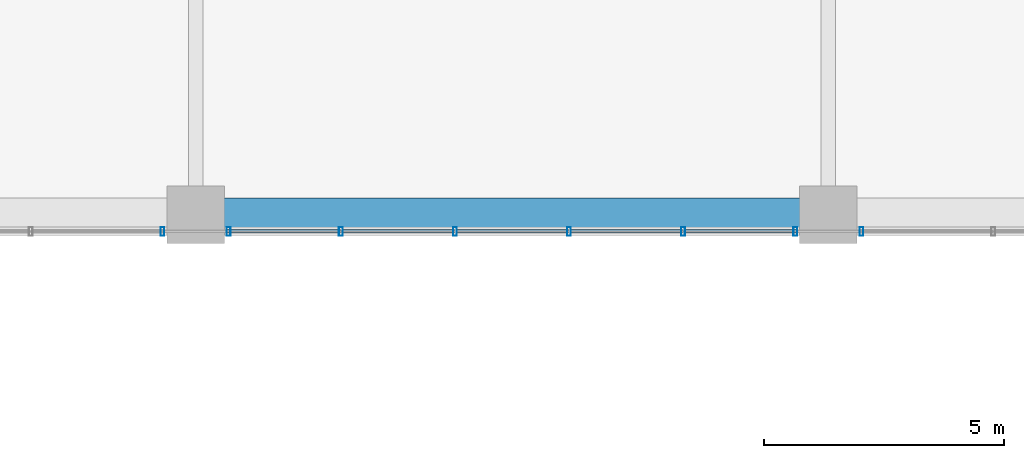
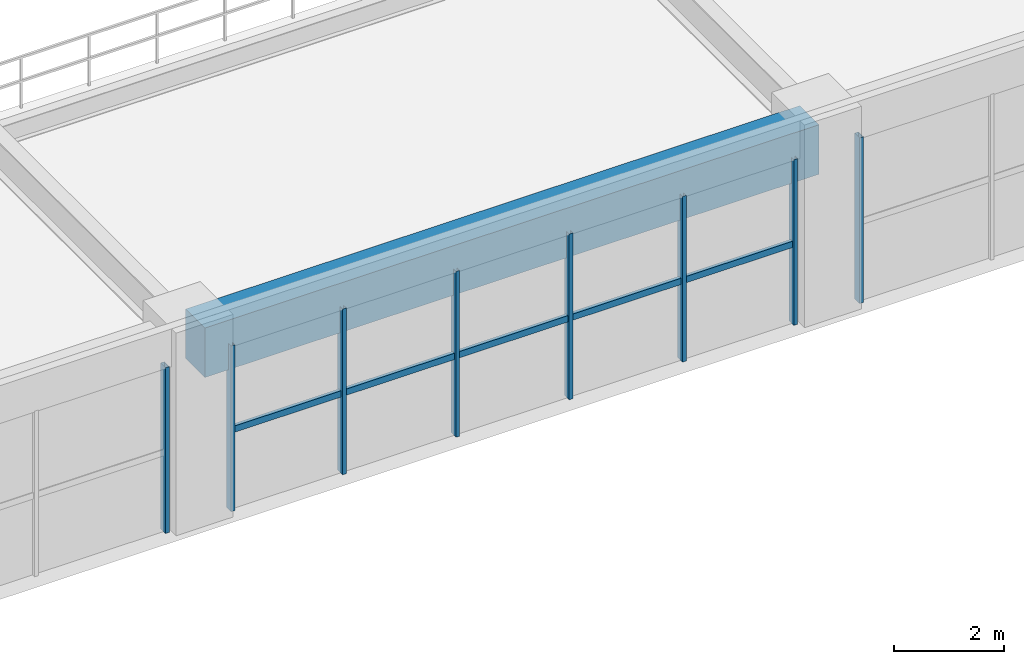
# One storey, part 4 of 24: 13 members, 1 beam, 3 elements without a shape of their own.
"""IFC4 building model written with IfcOpenShell, lengths in metres."""

from ifc_helpers import new_model, si_unit, direction, frame, origin, origin_2d, place, context, subcontext, project, spatial, rectangle, hollow_rectangle, extrude, source, transform, mapped, material, material_profile, profile_set, type_object, element, aggregate, save


model = new_model("IFC4")

# Units and contexts
model_context = context("Model", 3, precision=1e-05, world=origin(), true_north=direction((0.0, 1.0)))
body_context = subcontext(model_context, "Body", "Model", "MODEL_VIEW")
ifc_project = project(units=[si_unit("LENGTHUNIT", "METRE"), si_unit("AREAUNIT", "SQUARE_METRE"), si_unit("VOLUMEUNIT", "CUBIC_METRE"), si_unit("PLANEANGLEUNIT", "RADIAN"), si_unit("MASSUNIT", "GRAM", prefix="KILO")], contexts=[model_context])

# Site, building, storey
site_placement = place(None, origin())
site = spatial("IfcSite", under=ifc_project, at=site_placement, CompositionType="ELEMENT")
building_placement = place(site_placement, origin())
building = spatial("IfcBuilding", under=site, at=building_placement, Name="Trelvane Seafront Commons", CompositionType="ELEMENT")
storey_placement = place(building_placement, frame((0.0, 0.0, 5.199951171875)))
storey = spatial("IfcBuildingStorey", under=building, at=storey_placement, Name="L01", CompositionType="ELEMENT", Elevation=5.199951171875)

# Beam
ifc_material_1 = material(Name="Concrete C50/60", Category="concrete")
ifc_material_profile_1 = material_profile(ifc_material_1, rectangle(XDim=0.699951171875, YDim=1.10009765625, at=origin_2d()), Name="RC-700x1100")
ifc_profile_set_1 = profile_set([ifc_material_profile_1], Name="Concrete C50/60")
beam_type = type_object("IfcBeamType", Name="STR-TBM-RC700x1100", PredefinedType="T_BEAM", material=ifc_profile_set_1)
shared_shape_1 = source(origin(), body_context, "Body", "SweptSolid", [
    extrude(rectangle(XDim=0.699951171875, YDim=1.10009765625, at=origin_2d()), origin(), (0.0, 0.0, 1.0), 12.89990234375),
])
beam_placement = place(storey_placement, frame((30.75, 3.949951171875, 3.650146484375), z_axis=(1.0, 0.0, 0.0), x_axis=(0.0, 1.0, 0.0)))
element("IfcBeam", 1, at=beam_placement, inside=storey, type_object=beam_type, Name="L01 Primary Girder G-04", PredefinedType="T_BEAM", context=body_context, shape_type="MappedRepresentation", body=[
    mapped(shared_shape_1, transform((0.0, 0.0, 0.0), x_axis=(1.0, 0.0, 0.0), y_axis=(0.0, 1.0, 0.0), z_axis=(0.0, 0.0, 1.0), scale=1.0)),
])

# Curtain wall, member
ifc_material_2 = material(Name="Anodised pale-silver aluminium", Category="aluminium")
curtain_wall_type = type_object("IfcCurtainWallType", Name="ARCH-CW1-PODIUM", PredefinedType="NOTDEFINED", material=ifc_material_2)
curtain_wall_1_placement = place(storey_placement, origin())
curtain_wall_1 = element("IfcCurtainWall", 2, at=curtain_wall_1_placement, inside=storey, type_object=curtain_wall_type, Name="CW-L01-VP-0010", PredefinedType="NOTDEFINED")
ifc_material_profile_2 = material_profile(ifc_material_2, hollow_rectangle(XDim=0.080078125, YDim=0.179931640625, WallThickness=0.00439453125, at=origin_2d()), Name="MULL-80x180x4.5")
ifc_profile_set_2 = profile_set([ifc_material_profile_2], Name="Anodised pale-silver aluminium")
member_type_1 = type_object("IfcMemberType", Name="ARCH-CW-MULL-180", PredefinedType="MULLION", material=ifc_profile_set_2)
shared_shape_2 = source(origin(), body_context, "Body", "SweptSolid", [
    extrude(hollow_rectangle(XDim=0.080078125, YDim=0.179931640625, WallThickness=0.00439453125, at=origin_2d()), origin(), (0.0, 0.0, 1.0), 3.679931640625),
])
member_1_placement = place(storey_placement, frame((44.489990234375, 3.60009765625, 0.0), z_axis=(0.0, 0.0, 1.0), x_axis=(1.0, 0.0, 0.0)))
member_1 = element("IfcMember", 3, at=member_1_placement, type_object=member_type_1, Name="CW-L01-VP-0010-M04", PredefinedType="MULLION", context=body_context, shape_type="MappedRepresentation", body=[
    mapped(shared_shape_2, transform((0.0, 0.0, 0.0), x_axis=(1.0, 0.0, 0.0), y_axis=(0.0, 1.0, 0.0), z_axis=(0.0, 0.0, 1.0), scale=1.0)),
])
aggregate(curtain_wall_1, [member_1])

# Curtain wall, members
curtain_wall_2_placement = place(storey_placement, origin())
curtain_wall_2 = element("IfcCurtainWall", 4, at=curtain_wall_2_placement, inside=storey, type_object=curtain_wall_type, Name="CW-L01-VP-0011", PredefinedType="NOTDEFINED")
member_2_placement = place(storey_placement, frame((43.110107421875, 3.60009765625, 0.0), z_axis=(0.0, 0.0, 1.0), x_axis=(1.0, 0.0, 0.0)))
member_2 = element("IfcMember", 5, at=member_2_placement, type_object=member_type_1, Name="CW-L01-VP-0011-M00", PredefinedType="MULLION", context=body_context, shape_type="MappedRepresentation", body=[
    mapped(shared_shape_2, transform((0.0, 0.0, 0.0), x_axis=(1.0, 0.0, 0.0), y_axis=(0.0, 1.0, 0.0), z_axis=(0.0, 0.0, 1.0), scale=1.0)),
])
member_3_placement = place(storey_placement, frame((40.77001953125, 3.60009765625, 0.0), z_axis=(0.0, 0.0, 1.0), x_axis=(1.0, 0.0, 0.0)))
member_3 = element("IfcMember", 6, at=member_3_placement, type_object=member_type_1, Name="CW-L01-VP-0011-M01", PredefinedType="MULLION", context=body_context, shape_type="MappedRepresentation", body=[
    mapped(shared_shape_2, transform((0.0, 0.0, 0.0), x_axis=(1.0, 0.0, 0.0), y_axis=(0.0, 1.0, 0.0), z_axis=(0.0, 0.0, 1.0), scale=1.0)),
])
member_4_placement = place(storey_placement, frame((38.389892578125, 3.60009765625, 0.0), z_axis=(0.0, 0.0, 1.0), x_axis=(1.0, 0.0, 0.0)))
member_4 = element("IfcMember", 7, at=member_4_placement, type_object=member_type_1, Name="CW-L01-VP-0011-M02", PredefinedType="MULLION", context=body_context, shape_type="MappedRepresentation", body=[
    mapped(shared_shape_2, transform((0.0, 0.0, 0.0), x_axis=(1.0, 0.0, 0.0), y_axis=(0.0, 1.0, 0.0), z_axis=(0.0, 0.0, 1.0), scale=1.0)),
])
member_5_placement = place(storey_placement, frame((36.010009765625, 3.60009765625, 0.0), z_axis=(0.0, 0.0, 1.0), x_axis=(1.0, 0.0, 0.0)))
member_5 = element("IfcMember", 8, at=member_5_placement, type_object=member_type_1, Name="CW-L01-VP-0011-M03", PredefinedType="MULLION", context=body_context, shape_type="MappedRepresentation", body=[
    mapped(shared_shape_2, transform((0.0, 0.0, 0.0), x_axis=(1.0, 0.0, 0.0), y_axis=(0.0, 1.0, 0.0), z_axis=(0.0, 0.0, 1.0), scale=1.0)),
])
member_6_placement = place(storey_placement, frame((33.6298828125, 3.60009765625, 0.0), z_axis=(0.0, 0.0, 1.0), x_axis=(1.0, 0.0, 0.0)))
member_6 = element("IfcMember", 9, at=member_6_placement, type_object=member_type_1, Name="CW-L01-VP-0011-M04", PredefinedType="MULLION", context=body_context, shape_type="MappedRepresentation", body=[
    mapped(shared_shape_2, transform((0.0, 0.0, 0.0), x_axis=(1.0, 0.0, 0.0), y_axis=(0.0, 1.0, 0.0), z_axis=(0.0, 0.0, 1.0), scale=1.0)),
])
member_7_placement = place(storey_placement, frame((31.2900390625, 3.60009765625, 0.0), z_axis=(0.0, 0.0, 1.0), x_axis=(1.0, 0.0, 0.0)))
member_7 = element("IfcMember", 10, at=member_7_placement, type_object=member_type_1, Name="CW-L01-VP-0011-M05", PredefinedType="MULLION", context=body_context, shape_type="MappedRepresentation", body=[
    mapped(shared_shape_2, transform((0.0, 0.0, 0.0), x_axis=(1.0, 0.0, 0.0), y_axis=(0.0, 1.0, 0.0), z_axis=(0.0, 0.0, 1.0), scale=1.0)),
])

# Curtain wall, member
curtain_wall_3_placement = place(storey_placement, origin())
curtain_wall_3 = element("IfcCurtainWall", 11, at=curtain_wall_3_placement, inside=storey, type_object=curtain_wall_type, Name="CW-L01-VP-0012", PredefinedType="NOTDEFINED")
member_8_placement = place(storey_placement, frame((29.909912109375, 3.60009765625, 0.0), z_axis=(0.0, 0.0, 1.0), x_axis=(1.0, 0.0, 0.0)))
member_8 = element("IfcMember", 12, at=member_8_placement, type_object=member_type_1, Name="CW-L01-VP-0012-M00", PredefinedType="MULLION", context=body_context, shape_type="MappedRepresentation", body=[
    mapped(shared_shape_2, transform((0.0, 0.0, 0.0), x_axis=(1.0, 0.0, 0.0), y_axis=(0.0, 1.0, 0.0), z_axis=(0.0, 0.0, 1.0), scale=1.0)),
])
aggregate(curtain_wall_3, [member_8])

# Member
ifc_material_profile_3 = material_profile(ifc_material_2, hollow_rectangle(XDim=0.074951171875, YDim=0.139892578125, WallThickness=0.00390625, at=origin_2d()), Name="TRAN-75x140x4")
ifc_profile_set_3 = profile_set([ifc_material_profile_3], Name="Anodised pale-silver aluminium")
member_type_2 = type_object("IfcMemberType", Name="ARCH-CW-TRAN-140", PredefinedType="USERDEFINED", material=ifc_profile_set_3)
shared_shape_3 = source(origin(), body_context, "Body", "SweptSolid", [
    extrude(hollow_rectangle(XDim=0.074951171875, YDim=0.139892578125, WallThickness=0.00390625, at=origin_2d()), origin(), (0.0, 0.0, 1.0), 2.35595703125),
])
member_9_placement = place(storey_placement, frame((43.137939453125, 3.60009765625, 1.76611328125), z_axis=(-1.0, 0.0, 0.0), x_axis=(0.0, -1.0, 0.0)))
member_9 = element("IfcMember", 13, at=member_9_placement, type_object=member_type_2, Name="CW-L01-VP-0011-T00", ObjectType="TRANSOM", PredefinedType="USERDEFINED", context=body_context, shape_type="MappedRepresentation", body=[
    mapped(shared_shape_3, transform((0.0, 0.0, 0.0), x_axis=(1.0, 0.0, 0.0), y_axis=(0.0, 1.0, 0.0), z_axis=(0.0, 0.0, 1.0), scale=1.0)),
])

member_10_placement = place(storey_placement, frame((40.758056640625, 3.60009765625, 1.76611328125), z_axis=(-1.0, 0.0, 0.0), x_axis=(0.0, -1.0, 0.0)))
member_10 = element("IfcMember", 14, at=member_10_placement, type_object=member_type_2, Name="CW-L01-VP-0011-T01", ObjectType="TRANSOM", PredefinedType="USERDEFINED", context=body_context, shape_type="MappedRepresentation", body=[
    mapped(shared_shape_3, transform((0.0, 0.0, 0.0), x_axis=(1.0, 0.0, 0.0), y_axis=(0.0, 1.0, 0.0), z_axis=(0.0, 0.0, 1.0), scale=1.0)),
])

member_11_placement = place(storey_placement, frame((38.3779296875, 3.60009765625, 1.76611328125), z_axis=(-1.0, 0.0, 0.0), x_axis=(0.0, -1.0, 0.0)))
member_11 = element("IfcMember", 15, at=member_11_placement, type_object=member_type_2, Name="CW-L01-VP-0011-T02", ObjectType="TRANSOM", PredefinedType="USERDEFINED", context=body_context, shape_type="MappedRepresentation", body=[
    mapped(shared_shape_3, transform((0.0, 0.0, 0.0), x_axis=(1.0, 0.0, 0.0), y_axis=(0.0, 1.0, 0.0), z_axis=(0.0, 0.0, 1.0), scale=1.0)),
])

member_12_placement = place(storey_placement, frame((35.998046875, 3.60009765625, 1.76611328125), z_axis=(-1.0, 0.0, 0.0), x_axis=(0.0, -1.0, 0.0)))
member_12 = element("IfcMember", 16, at=member_12_placement, type_object=member_type_2, Name="CW-L01-VP-0011-T03", ObjectType="TRANSOM", PredefinedType="USERDEFINED", context=body_context, shape_type="MappedRepresentation", body=[
    mapped(shared_shape_3, transform((0.0, 0.0, 0.0), x_axis=(1.0, 0.0, 0.0), y_axis=(0.0, 1.0, 0.0), z_axis=(0.0, 0.0, 1.0), scale=1.0)),
])

member_13_placement = place(storey_placement, frame((33.617919921875, 3.60009765625, 1.76611328125), z_axis=(-1.0, 0.0, 0.0), x_axis=(0.0, -1.0, 0.0)))
member_13 = element("IfcMember", 17, at=member_13_placement, type_object=member_type_2, Name="CW-L01-VP-0011-T04", ObjectType="TRANSOM", PredefinedType="USERDEFINED", context=body_context, shape_type="MappedRepresentation", body=[
    mapped(shared_shape_3, transform((0.0, 0.0, 0.0), x_axis=(1.0, 0.0, 0.0), y_axis=(0.0, 1.0, 0.0), z_axis=(0.0, 0.0, 1.0), scale=1.0)),
])

aggregate(curtain_wall_2, [member_2, member_3, member_4, member_5, member_6, member_7, member_9, member_10, member_11, member_12, member_13])

save(model, "model.ifc")
